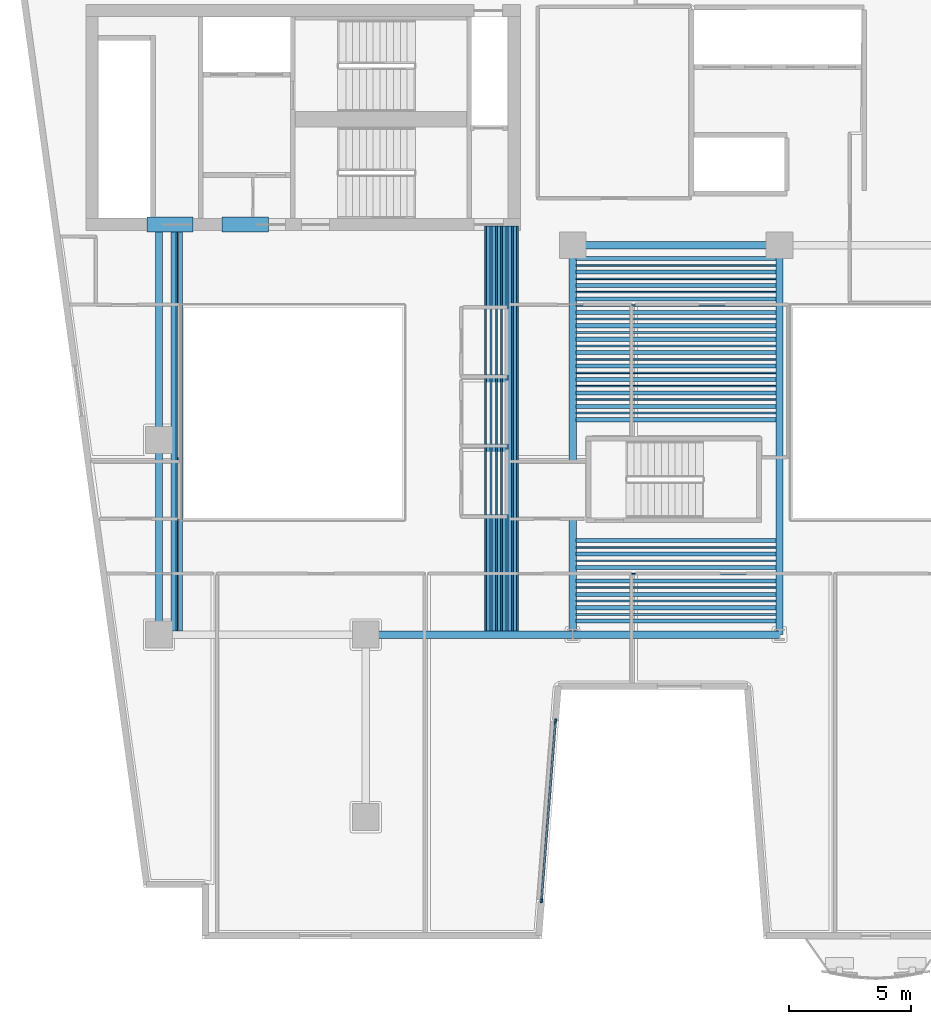
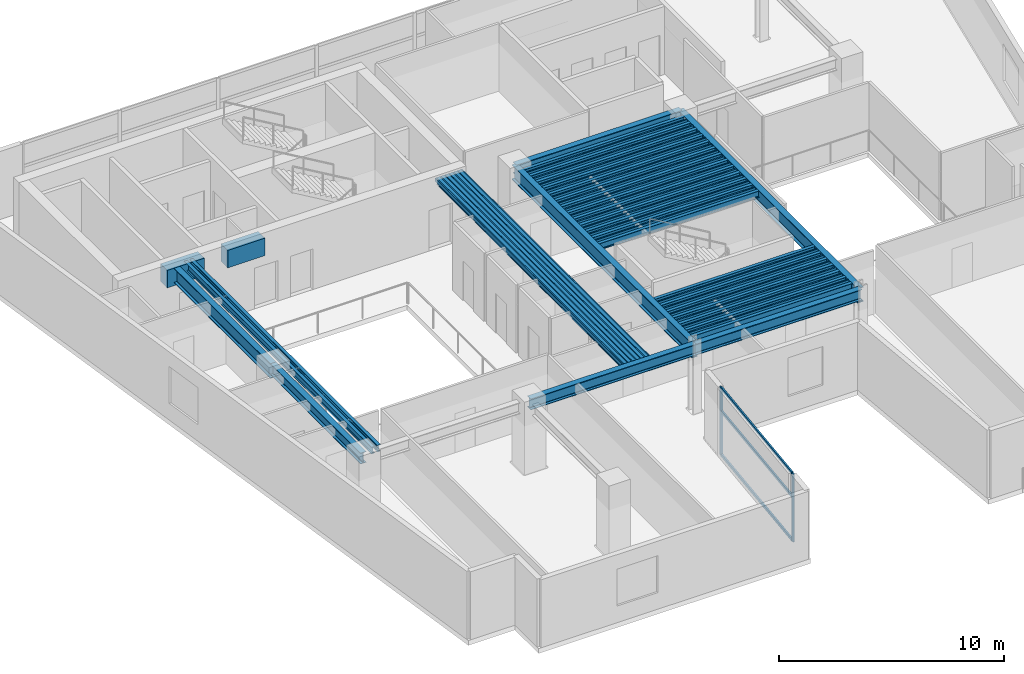
# One storey, part 2 of 12: 63 beams, 5 members, 1 element without a shape of its own.
"""IFC4 building model written with IfcOpenShell, lengths in metres."""

import ifcopenshell
import ifcopenshell.guid

model = None  # the IFC model being written
_history = None  # IfcOwnerHistory: only IFC2X3 demands one
_inside = {}  # id of a spatial element -> (the spatial element, [elements in it])
_under = {}  # id of a project, library or spatial element -> (it, [spatial elements below it])
_declared = {}  # id of a project -> (the project, [libraries it declares])
_typed = {}  # id of a type object -> (the type object, [elements of that type])
_made_of = {}  # id of a material, layer set ... -> (it, [elements and type objects made of it])


def new_model(schema):
    """Start an empty IFC model of exactly this schema.

    Asked for "IFC4X3", IfcOpenShell would pick the latest addendum, in which some entities
    have other attributes; the version numbers below select the first issue.
    IFC2X3 requires an IfcOwnerHistory on every rooted entity: one is made here for all.
    """
    global model, _history
    if schema == "IFC4X3":
        model = ifcopenshell.file(schema_version=(4, 3, 0, 0))
    else:
        model = ifcopenshell.file(schema=schema)
    _inside.clear()
    _under.clear()
    _declared.clear()
    _typed.clear()
    _made_of.clear()
    _history = None
    if model.schema == "IFC2X3":
        org = make("IfcOrganization", Name="unknown")
        user = make(
            "IfcPersonAndOrganization",
            ThePerson=make("IfcPerson", FamilyName="unknown"),
            TheOrganization=org,
        )
        app = make(
            "IfcApplication",
            ApplicationDeveloper=org,
            Version="unknown",
            ApplicationFullName="unknown",
            ApplicationIdentifier="unknown",
        )
        _history = make(
            "IfcOwnerHistory",
            OwningUser=user,
            OwningApplication=app,
            ChangeAction="ADDED",
            CreationDate=0,
        )
    return model


def make(cls, **values):
    """One entity of the class cls with the attributes given. An attribute that is None is left unset."""
    return model.create_entity(
        cls, **{name: value for name, value in values.items() if value is not None}
    )


def rooted(cls, **values):
    """An entity with a GlobalId (a new one), such as an element, a storey or a relation."""
    return make(cls, GlobalId=ifcopenshell.guid.new(), OwnerHistory=_history, **values)


def si_unit(unit_type, name, prefix=None):
    """IfcSIUnit, for example si_unit("LENGTHUNIT", "METRE", prefix="MILLI")."""
    return make("IfcSIUnit", UnitType=unit_type, Prefix=prefix, Name=name)


def assignment(units):
    """IfcUnitAssignment: the units of a project."""
    return None if units is None else make("IfcUnitAssignment", Units=units)


def point(xyz):
    """IfcCartesianPoint."""
    return None if xyz is None else make("IfcCartesianPoint", Coordinates=xyz)


def direction(xyz):
    """IfcDirection."""
    return None if xyz is None else make("IfcDirection", DirectionRatios=xyz)


def frame(location, z_axis=None, x_axis=None):
    """IfcAxis2Placement3D, a coordinate frame: its origin and axes. An axis left out is left unset."""
    return make(
        "IfcAxis2Placement3D",
        Location=point(location),
        Axis=direction(z_axis),
        RefDirection=direction(x_axis),
    )


def frame_2d(location, x_axis=None):
    """IfcAxis2Placement2D, a coordinate frame in the plane: its origin and x axis."""
    return make(
        "IfcAxis2Placement2D", Location=point(location), RefDirection=direction(x_axis)
    )


def origin():
    """The frame at (0, 0, 0) with its axes left unset."""
    return frame((0.0, 0.0, 0.0))


def origin_2d():
    """The frame at (0, 0) in the plane with its x axis left unset."""
    return frame_2d((0.0, 0.0))


def place(relative_to, where):
    """IfcLocalPlacement: puts the frame where relative to a parent placement (None: the world)."""
    return make(
        "IfcLocalPlacement", PlacementRelTo=relative_to, RelativePlacement=where
    )


def context(
    kind, dimensions, precision=None, world=None, true_north=None, identifier=None
):
    """IfcGeometricRepresentationContext, for example the 3D "Model" context."""
    return make(
        "IfcGeometricRepresentationContext",
        ContextIdentifier=identifier,
        ContextType=kind,
        CoordinateSpaceDimension=dimensions,
        Precision=precision,
        WorldCoordinateSystem=world,
        TrueNorth=true_north,
    )


def subcontext(parent, identifier, kind, view, scale=None):
    """IfcGeometricRepresentationSubContext, for example "Body" below "Model"."""
    return make(
        "IfcGeometricRepresentationSubContext",
        ContextIdentifier=identifier,
        ContextType=kind,
        ParentContext=parent,
        TargetScale=scale,
        TargetView=view,
    )


def project(units=None, contexts=None):
    """IfcProject with its units and contexts."""
    return rooted(
        "IfcProject",
        Name="project",
        RepresentationContexts=contexts,
        UnitsInContext=assignment(units),
    )


def spatial(cls, under=None, at=None, **own):
    """A site, building, storey or space (cls), placed at a placement, below another one or the project."""
    s = rooted(cls, ObjectPlacement=at, **own)
    if under is not None:
        _under.setdefault(under.id(), (under, []))[1].append(s)
    return s


def profile(cls, at=None, kind="AREA", **sizes):
    """A parametric profile (cls). Its sizes go by their IFC names, for example OverallWidth=200.0."""
    return make(cls, ProfileType=kind, Position=at, **sizes)


def rectangle(**sizes):
    """IfcRectangleProfileDef."""
    return profile("IfcRectangleProfileDef", **sizes)


def hollow_rectangle(**sizes):
    """IfcRectangleHollowProfileDef."""
    return profile("IfcRectangleHollowProfileDef", **sizes)


def i_section(**sizes):
    """IfcIShapeProfileDef."""
    return profile("IfcIShapeProfileDef", **sizes)


def extrude(swept, where, along, depth):
    """IfcExtrudedAreaSolid: the profile swept, set in the frame where, extruded along a direction by depth."""
    return make(
        "IfcExtrudedAreaSolid",
        SweptArea=swept,
        Position=where,
        ExtrudedDirection=direction(along),
        Depth=depth,
    )


def shape(context_of_items, identifier, shape_type, items):
    """IfcShapeRepresentation: the items that make up one representation, for example the "Body"."""
    return make(
        "IfcShapeRepresentation",
        ContextOfItems=context_of_items,
        RepresentationIdentifier=identifier,
        RepresentationType=shape_type,
        Items=items,
    )


def material(Name=None, Category=None):
    """IfcMaterial."""
    return make("IfcMaterial", Name=Name, Category=Category)


def layer(
    of_material, thickness, ventilated=None, Name=None, Category=None, Priority=None
):
    """IfcMaterialLayer: one layer of a wall or slab, of a material (None: an air gap)."""
    return make(
        "IfcMaterialLayer",
        Material=of_material,
        LayerThickness=thickness,
        IsVentilated=ventilated,
        Name=Name,
        Category=Category,
        Priority=Priority,
    )


def layer_set(layers, Name=None):
    """IfcMaterialLayerSet."""
    return make("IfcMaterialLayerSet", MaterialLayers=layers, LayerSetName=Name)


def material_profile(
    of_material, cross_section, Name=None, Category=None, Priority=None
):
    """IfcMaterialProfile: a cross section and its material."""
    return make(
        "IfcMaterialProfile",
        Name=Name,
        Material=of_material,
        Profile=cross_section,
        Priority=Priority,
        Category=Category,
    )


def profile_set(profiles, Name=None, composite=None):
    """IfcMaterialProfileSet."""
    return make(
        "IfcMaterialProfileSet",
        Name=Name,
        MaterialProfiles=profiles,
        CompositeProfile=composite,
    )


def made_of(thing, what):
    """Note that an element or type object is made of a material, layer set ...; save() writes the relation."""
    if what is not None:
        _made_of.setdefault(what.id(), (what, []))[1].append(thing)
    return thing


def type_object(cls, material=None, **own):
    """A type object (cls), such as IfcWallType, which elements share."""
    return made_of(rooted(cls, **own), material)


def element(
    cls,
    number,
    at=None,
    inside=None,
    cuts=None,
    type_object=None,
    material=None,
    context=None,
    identifier="Body",
    shape_type=None,
    held_by="IfcProductDefinitionShape",
    body=None,
    shapes=None,
    **own,
):
    """One element of the class cls, such as IfcWall. Its Tag is "e" and its number.

    at: its placement. inside: the storey or other place that contains it. cuts: it is an
    opening in that element (IfcRelVoidsElement). A single representation is given by context,
    identifier, shape_type and body (its items); several are given by shapes. held_by: the class
    of the entity that holds the representations. save() writes the other relations.
    """
    e = rooted(cls, Tag="e%d" % number, ObjectPlacement=at, **own)
    if body is not None:
        shapes = [shape(context, identifier, shape_type, body)]
    if shapes is not None:
        e.Representation = make(held_by, Representations=shapes)
    if inside is not None:
        _inside.setdefault(inside.id(), (inside, []))[1].append(e)
    if cuts is not None:
        rooted(
            "IfcRelVoidsElement", RelatingBuildingElement=cuts, RelatedOpeningElement=e
        )
    if type_object is not None:
        _typed.setdefault(type_object.id(), (type_object, []))[1].append(e)
    return made_of(e, material)


def aggregate(whole, parts):
    """IfcRelAggregates: a whole, such as a stair, and the parts it consists of."""
    return rooted("IfcRelAggregates", RelatingObject=whole, RelatedObjects=parts)


def save(model, path):
    """Write the relations noted so far, then the file.

    IfcRelAggregates (storeys below a building ...), IfcRelContainedInSpatialStructure (elements
    in a storey), IfcRelDefinesByType, IfcRelAssociatesMaterial and IfcRelDeclares: one each for
    every whole, place, type object, material and project.
    """
    for whole, parts in _under.values():
        aggregate(whole, parts)
    for where, things in _inside.values():
        rooted(
            "IfcRelContainedInSpatialStructure",
            RelatedElements=things,
            RelatingStructure=where,
        )
    for kind, things in _typed.values():
        rooted("IfcRelDefinesByType", RelatedObjects=things, RelatingType=kind)
    for what, things in _made_of.values():
        rooted("IfcRelAssociatesMaterial", RelatedObjects=things, RelatingMaterial=what)
    for by, libraries in _declared.values():
        rooted("IfcRelDeclares", RelatingContext=by, RelatedDefinitions=libraries)
    model.write(path)


model = new_model("IFC4")

# Units and contexts
model_context = context("Model", 3, precision=1e-05, world=origin(), true_north=direction((0.0, 1.0)))
body_context = subcontext(model_context, "Body", "Model", "MODEL_VIEW")
ifc_project = project(units=[si_unit("LENGTHUNIT", "METRE"), si_unit("AREAUNIT", "SQUARE_METRE"), si_unit("VOLUMEUNIT", "CUBIC_METRE"), si_unit("PLANEANGLEUNIT", "RADIAN"), si_unit("MASSUNIT", "GRAM", prefix="KILO")], contexts=[model_context])

# Site, building, storey
site_placement = place(None, origin())
site = spatial("IfcSite", under=ifc_project, at=site_placement, CompositionType="ELEMENT")
building_placement = place(site_placement, origin())
building = spatial("IfcBuilding", under=site, at=building_placement, Name="Caeloran Harvest Quay", CompositionType="ELEMENT")
storey_placement = place(building_placement, frame((0.0, 0.0, 154.85009765625)))
storey = spatial("IfcBuildingStorey", under=building, at=storey_placement, Name="L36", CompositionType="ELEMENT", Elevation=154.85009765625)

# Beams
ifc_material_1 = material(Name="Concrete C60/75", Category="concrete")
ifc_material_profile_1 = material_profile(ifc_material_1, rectangle(XDim=0.60009765625, YDim=0.949951171875, at=origin_2d()), Name="RC 600x950")
ifc_profile_set_1 = profile_set([ifc_material_profile_1], Name="Concrete C60/75")
beam_type_1 = type_object("IfcBeamType", Name="BM-CB-2-RC_600x950", PredefinedType="LINTEL", material=ifc_profile_set_1)
for number, where, z_axis, x_axis, name in (
    (1, (8.0, 31.85009765625, 3.21484375), (1.0, 0.0, 0.0), (0.0, 1.0, 0.0), "L36 Core Coupling Beam 1"),
    (2, (11.10009765625, 31.85009765625, 3.21484375), (1.0, 0.0, 0.0), (0.0, 1.0, 0.0), "L36 Core Coupling Beam 2"),
):
    element("IfcBeam", number, at=place(storey_placement, frame(where, z_axis=z_axis, x_axis=x_axis)), inside=storey, type_object=beam_type_1, Name=name, PredefinedType="LINTEL", context=body_context, shape_type="SweptSolid", body=[
        extrude(rectangle(XDim=0.60009765625, YDim=0.949951171875, at=origin_2d()), origin(), (0.0, 0.0, 1.0), 1.89990234375),
    ])
ifc_material_2 = material(Name="Steel S355J2", Category="steel")
ifc_material_profile_2 = material_profile(ifc_material_2, i_section(OverallWidth=0.300048828125, OverallDepth=0.800048828125, WebThickness=0.017578125, FlangeThickness=0.032958984375, FilletRadius=0.030029296875, at=origin_2d()), Name="HE 800 B")
ifc_profile_set_2 = profile_set([ifc_material_profile_2], Name="Steel S355J2")
beam_type_2 = type_object("IfcBeamType", Name="BM-PG-1-HE_800_B", PredefinedType="BEAM", material=ifc_profile_set_2)
beam_1_placement = place(storey_placement, frame((8.5, 23.0, 3.289794921875), z_axis=(0.0, 1.0, 0.0), x_axis=(-1.0, 0.0, 0.0)))
element("IfcBeam", 3, at=beam_1_placement, inside=storey, type_object=beam_type_2, Name="L36 Core South Tie Girder X=8.5", PredefinedType="BEAM", context=body_context, shape_type="SweptSolid", body=[
    extrude(i_section(OverallWidth=0.300048828125, OverallDepth=0.800048828125, WebThickness=0.017578125, FlangeThickness=0.032958984375, FilletRadius=0.030029296875, at=origin_2d()), origin(), (0.0, 0.0, 1.0), 8.800048828125),
])
for number, where, z_axis, x_axis, name in (
    (4, (25.5, 15.0, 3.289794921875), (0.0, 1.0, 0.0), (-1.0, 0.0, 0.0), "L36 Primary North-South Girder X=25.5"),
    (5, (34.0, 15.0, 3.289794921875), (0.0, 1.0, 0.0), (-1.0, 0.0, 0.0), "L36 Primary North-South Girder X=34.0"),
):
    element("IfcBeam", number, at=place(storey_placement, frame(where, z_axis=z_axis, x_axis=x_axis)), inside=storey, type_object=beam_type_2, Name=name, PredefinedType="BEAM", context=body_context, shape_type="SweptSolid", body=[
        extrude(i_section(OverallWidth=0.300048828125, OverallDepth=0.800048828125, WebThickness=0.017578125, FlangeThickness=0.032958984375, FilletRadius=0.030029296875, at=origin_2d()), origin(), (0.0, 0.0, 1.0), 16.0),
    ])
ifc_material_profile_3 = material_profile(ifc_material_2, i_section(OverallWidth=0.300048828125, OverallDepth=0.60009765625, WebThickness=0.015380859375, FlangeThickness=0.030029296875, FilletRadius=0.027099609375, at=origin_2d()), Name="HE 600 B")
ifc_profile_set_3 = profile_set([ifc_material_profile_3], Name="Steel S355J2")
beam_type_3 = type_object("IfcBeamType", Name="BM-PG-3-HE_600_B", PredefinedType="BEAM", material=ifc_profile_set_3)
for number, where, z_axis, x_axis, name in (
    (6, (17.0, 15.0, 3.389892578125), (1.0, 0.0, 0.0), (0.0, 1.0, 0.0), "L36 Primary East-West Girder Y=15.0"),
    (7, (25.5, 15.0, 3.389892578125), (1.0, 0.0, 0.0), (0.0, 1.0, 0.0), "L36 Primary East-West Girder Y=15.0"),
    (8, (25.5, 31.0, 3.389892578125), (1.0, 0.0, 0.0), (0.0, 1.0, 0.0), "L36 Primary East-West Girder Y=31.0"),
):
    element("IfcBeam", number, at=place(storey_placement, frame(where, z_axis=z_axis, x_axis=x_axis)), inside=storey, type_object=beam_type_3, Name=name, PredefinedType="BEAM", context=body_context, shape_type="SweptSolid", body=[
        extrude(i_section(OverallWidth=0.300048828125, OverallDepth=0.60009765625, WebThickness=0.015380859375, FlangeThickness=0.030029296875, FilletRadius=0.027099609375, at=origin_2d()), origin(), (0.0, 0.0, 1.0), 8.5),
    ])
beam_2_placement = place(storey_placement, frame((8.5, 15.0, 3.389892578125), z_axis=(0.0, 1.0, 0.0), x_axis=(-1.0, 0.0, 0.0)))
element("IfcBeam", 9, at=beam_2_placement, inside=storey, type_object=beam_type_3, Name="L36 Primary North-South Girder X=8.5", PredefinedType="BEAM", context=body_context, shape_type="SweptSolid", body=[
    extrude(i_section(OverallWidth=0.300048828125, OverallDepth=0.60009765625, WebThickness=0.015380859375, FlangeThickness=0.030029296875, FilletRadius=0.027099609375, at=origin_2d()), origin(), (0.0, 0.0, 1.0), 8.0),
])
ifc_material_profile_4 = material_profile(ifc_material_2, i_section(OverallWidth=0.169921875, OverallDepth=0.360107421875, WebThickness=0.008056640625, FlangeThickness=0.0126953125, FilletRadius=0.01806640625, at=origin_2d()), Name="IPE 360")
ifc_profile_set_4 = profile_set([ifc_material_profile_4], Name="Steel S355J2")
beam_type_4 = type_object("IfcBeamType", Name="BM-SB-5-IPE_360", PredefinedType="JOIST", material=ifc_profile_set_4)
for number, where, z_axis, x_axis, name in (
    (10, (9.086181640625, 15.14501953125, 3.510009765625), (0.0, 1.0, 0.0), (-1.0, 0.0, 0.0), "L36 Secondary Composite Joist"),
    (11, (9.37939453125, 15.14501953125, 3.510009765625), (0.0, 1.0, 0.0), (-1.0, 0.0, 0.0), "L36 Secondary Composite Joist"),
    (12, (22.0361328125, 15.14501953125, 3.510009765625), (0.0, 1.0, 0.0), (-1.0, 0.0, 0.0), "L36 Secondary Composite Joist"),
    (13, (22.255126953125, 15.14501953125, 3.510009765625), (0.0, 1.0, 0.0), (-1.0, 0.0, 0.0), "L36 Secondary Composite Joist"),
    (14, (22.47412109375, 15.14501953125, 3.510009765625), (0.0, 1.0, 0.0), (-1.0, 0.0, 0.0), "L36 Secondary Composite Joist"),
    (15, (22.693115234375, 15.14501953125, 3.510009765625), (0.0, 1.0, 0.0), (-1.0, 0.0, 0.0), "L36 Secondary Composite Joist"),
    (16, (22.912109375, 15.14501953125, 3.510009765625), (0.0, 1.0, 0.0), (-1.0, 0.0, 0.0), "L36 Secondary Composite Joist"),
    (17, (23.131103515625, 15.14501953125, 3.510009765625), (0.0, 1.0, 0.0), (-1.0, 0.0, 0.0), "L36 Secondary Composite Joist"),
):
    element("IfcBeam", number, at=place(storey_placement, frame(where, z_axis=z_axis, x_axis=x_axis)), inside=storey, type_object=beam_type_4, Name=name, PredefinedType="JOIST", context=body_context, shape_type="SweptSolid", body=[
        extrude(i_section(OverallWidth=0.169921875, OverallDepth=0.360107421875, WebThickness=0.008056640625, FlangeThickness=0.0126953125, FilletRadius=0.01806640625, at=origin_2d()), origin(), (0.0, 0.0, 1.0), 16.655029296875),
    ])
for number, where, z_axis, x_axis, name in (
    (18, (25.64501953125, 15.5517578125, 3.510009765625), (1.0, 0.0, 0.0), (0.0, 1.0, 0.0), "L36 Secondary East-West Composite Joist"),
    (19, (25.64501953125, 16.103515625, 3.510009765625), (1.0, 0.0, 0.0), (0.0, 1.0, 0.0), "L36 Secondary East-West Composite Joist"),
    (20, (25.64501953125, 16.6552734375, 3.510009765625), (1.0, 0.0, 0.0), (0.0, 1.0, 0.0), "L36 Secondary East-West Composite Joist"),
    (21, (25.64501953125, 17.206787109375, 3.510009765625), (1.0, 0.0, 0.0), (0.0, 1.0, 0.0), "L36 Secondary East-West Composite Joist"),
    (22, (25.64501953125, 17.758544921875, 3.510009765625), (1.0, 0.0, 0.0), (0.0, 1.0, 0.0), "L36 Secondary East-West Composite Joist"),
    (23, (25.64501953125, 18.310302734375, 3.510009765625), (1.0, 0.0, 0.0), (0.0, 1.0, 0.0), "L36 Secondary East-West Composite Joist"),
    (24, (25.64501953125, 18.862060546875, 3.510009765625), (1.0, 0.0, 0.0), (0.0, 1.0, 0.0), "L36 Secondary East-West Composite Joist"),
    (25, (25.64501953125, 23.82763671875, 3.510009765625), (1.0, 0.0, 0.0), (0.0, 1.0, 0.0), "L36 Secondary East-West Composite Joist"),
    (26, (25.64501953125, 24.37939453125, 3.510009765625), (1.0, 0.0, 0.0), (0.0, 1.0, 0.0), "L36 Secondary East-West Composite Joist"),
    (27, (25.64501953125, 24.930908203125, 3.510009765625), (1.0, 0.0, 0.0), (0.0, 1.0, 0.0), "L36 Secondary East-West Composite Joist"),
    (28, (25.64501953125, 25.48291015625, 3.510009765625), (1.0, 0.0, 0.0), (0.0, 1.0, 0.0), "L36 Secondary East-West Composite Joist"),
    (29, (25.64501953125, 26.034423828125, 3.510009765625), (1.0, 0.0, 0.0), (0.0, 1.0, 0.0), "L36 Secondary East-West Composite Joist"),
    (30, (25.64501953125, 26.586181640625, 3.510009765625), (1.0, 0.0, 0.0), (0.0, 1.0, 0.0), "L36 Secondary East-West Composite Joist"),
    (31, (25.64501953125, 27.137939453125, 3.510009765625), (1.0, 0.0, 0.0), (0.0, 1.0, 0.0), "L36 Secondary East-West Composite Joist"),
    (32, (25.64501953125, 27.689697265625, 3.510009765625), (1.0, 0.0, 0.0), (0.0, 1.0, 0.0), "L36 Secondary East-West Composite Joist"),
    (33, (25.64501953125, 28.241455078125, 3.510009765625), (1.0, 0.0, 0.0), (0.0, 1.0, 0.0), "L36 Secondary East-West Composite Joist"),
    (34, (25.64501953125, 28.793212890625, 3.510009765625), (1.0, 0.0, 0.0), (0.0, 1.0, 0.0), "L36 Secondary East-West Composite Joist"),
    (35, (25.64501953125, 29.3447265625, 3.510009765625), (1.0, 0.0, 0.0), (0.0, 1.0, 0.0), "L36 Secondary East-West Composite Joist"),
    (36, (25.64501953125, 29.896484375, 3.510009765625), (1.0, 0.0, 0.0), (0.0, 1.0, 0.0), "L36 Secondary East-West Composite Joist"),
    (37, (25.64501953125, 30.4482421875, 3.510009765625), (1.0, 0.0, 0.0), (0.0, 1.0, 0.0), "L36 Secondary East-West Composite Joist"),
):
    element("IfcBeam", number, at=place(storey_placement, frame(where, z_axis=z_axis, x_axis=x_axis)), inside=storey, type_object=beam_type_4, Name=name, PredefinedType="JOIST", context=body_context, shape_type="SweptSolid", body=[
        extrude(i_section(OverallWidth=0.169921875, OverallDepth=0.360107421875, WebThickness=0.008056640625, FlangeThickness=0.0126953125, FilletRadius=0.01806640625, at=origin_2d()), origin(), (0.0, 0.0, 1.0), 8.2099609375),
    ])
ifc_material_profile_5 = material_profile(ifc_material_2, hollow_rectangle(XDim=0.080078125, YDim=0.199951171875, WallThickness=0.006103515625, InnerFilletRadius=0.006103515625, OuterFilletRadius=0.009033203125, at=origin_2d()), Name="RHS 200x80x6")
ifc_profile_set_5 = profile_set([ifc_material_profile_5], Name="Steel S355J2")
beam_type_5 = type_object("IfcBeamType", Name="BM-SB-7-RHS_200x80x6", PredefinedType="JOIST", material=ifc_profile_set_5)
for number, where, z_axis, x_axis, name in (
    (38, (9.23291015625, 15.14501953125, 3.58984375), (0.0, 1.0, 0.0), (-1.0, 0.0, 0.0), "L36 Secondary Composite Joist"),
    (39, (21.9267578125, 15.14501953125, 3.58984375), (0.0, 1.0, 0.0), (-1.0, 0.0, 0.0), "L36 Secondary Composite Joist"),
    (40, (22.145751953125, 15.14501953125, 3.58984375), (0.0, 1.0, 0.0), (-1.0, 0.0, 0.0), "L36 Secondary Composite Joist"),
    (41, (22.36474609375, 15.14501953125, 3.58984375), (0.0, 1.0, 0.0), (-1.0, 0.0, 0.0), "L36 Secondary Composite Joist"),
    (42, (22.58349609375, 15.14501953125, 3.58984375), (0.0, 1.0, 0.0), (-1.0, 0.0, 0.0), "L36 Secondary Composite Joist"),
    (43, (22.802490234375, 15.14501953125, 3.58984375), (0.0, 1.0, 0.0), (-1.0, 0.0, 0.0), "L36 Secondary Composite Joist"),
    (44, (23.021484375, 15.14501953125, 3.58984375), (0.0, 1.0, 0.0), (-1.0, 0.0, 0.0), "L36 Secondary Composite Joist"),
    (45, (23.240478515625, 15.14501953125, 3.58984375), (0.0, 1.0, 0.0), (-1.0, 0.0, 0.0), "L36 Secondary Composite Joist"),
):
    element("IfcBeam", number, at=place(storey_placement, frame(where, z_axis=z_axis, x_axis=x_axis)), inside=storey, type_object=beam_type_5, Name=name, PredefinedType="JOIST", context=body_context, shape_type="SweptSolid", body=[
        extrude(hollow_rectangle(XDim=0.080078125, YDim=0.199951171875, WallThickness=0.006103515625, InnerFilletRadius=0.006103515625, OuterFilletRadius=0.009033203125, at=origin_2d()), origin(), (0.0, 0.0, 1.0), 16.655029296875),
    ])
for number, where, z_axis, x_axis, name in (
    (46, (25.64501953125, 15.82763671875, 3.58984375), (1.0, 0.0, 0.0), (0.0, 1.0, 0.0), "L36 Secondary East-West Composite Joist"),
    (47, (25.64501953125, 16.37939453125, 3.58984375), (1.0, 0.0, 0.0), (0.0, 1.0, 0.0), "L36 Secondary East-West Composite Joist"),
    (48, (25.64501953125, 16.930908203125, 3.58984375), (1.0, 0.0, 0.0), (0.0, 1.0, 0.0), "L36 Secondary East-West Composite Joist"),
    (49, (25.64501953125, 17.48291015625, 3.58984375), (1.0, 0.0, 0.0), (0.0, 1.0, 0.0), "L36 Secondary East-West Composite Joist"),
    (50, (25.64501953125, 18.034423828125, 3.58984375), (1.0, 0.0, 0.0), (0.0, 1.0, 0.0), "L36 Secondary East-West Composite Joist"),
    (51, (25.64501953125, 18.586181640625, 3.58984375), (1.0, 0.0, 0.0), (0.0, 1.0, 0.0), "L36 Secondary East-West Composite Joist"),
    (52, (25.64501953125, 24.103515625, 3.58984375), (1.0, 0.0, 0.0), (0.0, 1.0, 0.0), "L36 Secondary East-West Composite Joist"),
    (53, (25.64501953125, 24.6552734375, 3.58984375), (1.0, 0.0, 0.0), (0.0, 1.0, 0.0), "L36 Secondary East-West Composite Joist"),
    (54, (25.64501953125, 25.206787109375, 3.58984375), (1.0, 0.0, 0.0), (0.0, 1.0, 0.0), "L36 Secondary East-West Composite Joist"),
    (55, (25.64501953125, 25.758544921875, 3.58984375), (1.0, 0.0, 0.0), (0.0, 1.0, 0.0), "L36 Secondary East-West Composite Joist"),
    (56, (25.64501953125, 26.310302734375, 3.58984375), (1.0, 0.0, 0.0), (0.0, 1.0, 0.0), "L36 Secondary East-West Composite Joist"),
    (57, (25.64501953125, 26.862060546875, 3.58984375), (1.0, 0.0, 0.0), (0.0, 1.0, 0.0), "L36 Secondary East-West Composite Joist"),
    (58, (25.64501953125, 27.413818359375, 3.58984375), (1.0, 0.0, 0.0), (0.0, 1.0, 0.0), "L36 Secondary East-West Composite Joist"),
    (59, (25.64501953125, 27.965576171875, 3.58984375), (1.0, 0.0, 0.0), (0.0, 1.0, 0.0), "L36 Secondary East-West Composite Joist"),
    (60, (25.64501953125, 28.51708984375, 3.58984375), (1.0, 0.0, 0.0), (0.0, 1.0, 0.0), "L36 Secondary East-West Composite Joist"),
    (61, (25.64501953125, 29.069091796875, 3.58984375), (1.0, 0.0, 0.0), (0.0, 1.0, 0.0), "L36 Secondary East-West Composite Joist"),
    (62, (25.64501953125, 29.62060546875, 3.58984375), (1.0, 0.0, 0.0), (0.0, 1.0, 0.0), "L36 Secondary East-West Composite Joist"),
    (63, (25.64501953125, 30.17236328125, 3.58984375), (1.0, 0.0, 0.0), (0.0, 1.0, 0.0), "L36 Secondary East-West Composite Joist"),
):
    element("IfcBeam", number, at=place(storey_placement, frame(where, z_axis=z_axis, x_axis=x_axis)), inside=storey, type_object=beam_type_5, Name=name, PredefinedType="JOIST", context=body_context, shape_type="SweptSolid", body=[
        extrude(hollow_rectangle(XDim=0.080078125, YDim=0.199951171875, WallThickness=0.006103515625, InnerFilletRadius=0.006103515625, OuterFilletRadius=0.009033203125, at=origin_2d()), origin(), (0.0, 0.0, 1.0), 8.2099609375),
    ])

# Curtain wall, members
ifc_material_3 = material(Name="Aluminium 6063-T6 and Low-E Glazing", Category="aluminium")
ifc_layer = layer(ifc_material_3, 0.22998046875, Name="Aluminium 6063-T6 and Low-E Glazing")
ifc_layer_set = layer_set([ifc_layer], Name="Aluminium 6063-T6 and Low-E Glazing")
curtain_wall_type = type_object("IfcCurtainWallType", Name="CW-SYS-CW-6", PredefinedType="USERDEFINED", material=ifc_layer_set)
curtain_wall_placement = place(storey_placement, origin())
curtain_wall = element("IfcCurtainWall", 64, at=curtain_wall_placement, inside=storey, type_object=curtain_wall_type, Name="L36 Unitised Curtain Wall CW-6 Run 15", ObjectType="CURTAIN_WALL", PredefinedType="USERDEFINED")
ifc_material_4 = material(Name="Aluminium 6063-T6", Category="aluminium")
ifc_material_profile_6 = material_profile(ifc_material_4, rectangle(XDim=0.080078125, YDim=0.179931640625, at=origin_2d()), Name="CW-MULLION-180")
ifc_profile_set_6 = profile_set([ifc_material_profile_6], Name="Aluminium 6063-T6")
member_type_1 = type_object("IfcMemberType", Name="CW-MULLION-180", PredefinedType="MULLION", material=ifc_profile_set_6)
member_1_placement = place(storey_placement, frame((24.7978515625, 11.4443359375, 0.0), z_axis=(0.0, 0.0, 1.0), x_axis=(0.996967280277, -0.077821861046, 0.0)))
member_1 = element("IfcMember", 65, at=member_1_placement, type_object=member_type_1, Name="CW-6 mullion 1", PredefinedType="MULLION", context=body_context, shape_type="SweptSolid", body=[
    extrude(rectangle(XDim=0.080078125, YDim=0.179931640625, at=origin_2d()), origin(), (0.0, 0.0, 1.0), 3.68994140625),
])
member_2_placement = place(storey_placement, frame((24.221923828125, 4.065673828125, 0.0), z_axis=(0.0, 0.0, 1.0), x_axis=(0.996967280277, -0.077821861046, 0.0)))
member_2 = element("IfcMember", 66, at=member_2_placement, type_object=member_type_1, Name="CW-6 mullion 2", PredefinedType="MULLION", context=body_context, shape_type="SweptSolid", body=[
    extrude(rectangle(XDim=0.080078125, YDim=0.179931640625, at=origin_2d()), origin(), (0.0, 0.0, 1.0), 3.68994140625),
])
ifc_material_profile_7 = material_profile(ifc_material_4, rectangle(XDim=0.080078125, YDim=0.14990234375, at=origin_2d()), Name="CW-TRANSOM-150")
ifc_profile_set_7 = profile_set([ifc_material_profile_7], Name="Aluminium 6063-T6")
member_type_2 = type_object("IfcMemberType", Name="CW-TRANSOM-150", PredefinedType="USERDEFINED", material=ifc_profile_set_7)
member_3_placement = place(storey_placement, frame((24.794677734375, 11.404541015625, 0.039794921875), z_axis=(-0.077831218093, -0.996966549835, 0.0), x_axis=(0.996966549835, -0.077831218093, 0.0)))
member_3 = element("IfcMember", 67, at=member_3_placement, type_object=member_type_2, Name="CW-6 transom 1.1", ObjectType="TRANSOM", PredefinedType="USERDEFINED", context=body_context, shape_type="SweptSolid", body=[
    extrude(rectangle(XDim=0.080078125, YDim=0.14990234375, at=origin_2d()), origin(), (0.0, 0.0, 1.0), 7.3212890625),
])
member_4_placement = place(storey_placement, frame((24.794677734375, 11.404541015625, 2.39990234375), z_axis=(-0.077831218093, -0.996966549835, 0.0), x_axis=(0.996966549835, -0.077831218093, 0.0)))
member_4 = element("IfcMember", 68, at=member_4_placement, type_object=member_type_2, Name="CW-6 transom 1.2", ObjectType="TRANSOM", PredefinedType="USERDEFINED", context=body_context, shape_type="SweptSolid", body=[
    extrude(rectangle(XDim=0.080078125, YDim=0.14990234375, at=origin_2d()), origin(), (0.0, 0.0, 1.0), 7.3212890625),
])
member_5_placement = place(storey_placement, frame((24.794677734375, 11.404541015625, 3.64990234375), z_axis=(-0.077831218093, -0.996966549835, 0.0), x_axis=(0.996966549835, -0.077831218093, 0.0)))
member_5 = element("IfcMember", 69, at=member_5_placement, type_object=member_type_2, Name="CW-6 transom 1.3", ObjectType="TRANSOM", PredefinedType="USERDEFINED", context=body_context, shape_type="SweptSolid", body=[
    extrude(rectangle(XDim=0.080078125, YDim=0.14990234375, at=origin_2d()), origin(), (0.0, 0.0, 1.0), 7.3212890625),
])
aggregate(curtain_wall, [member_1, member_2, member_3, member_4, member_5])

save(model, "model.ifc")
